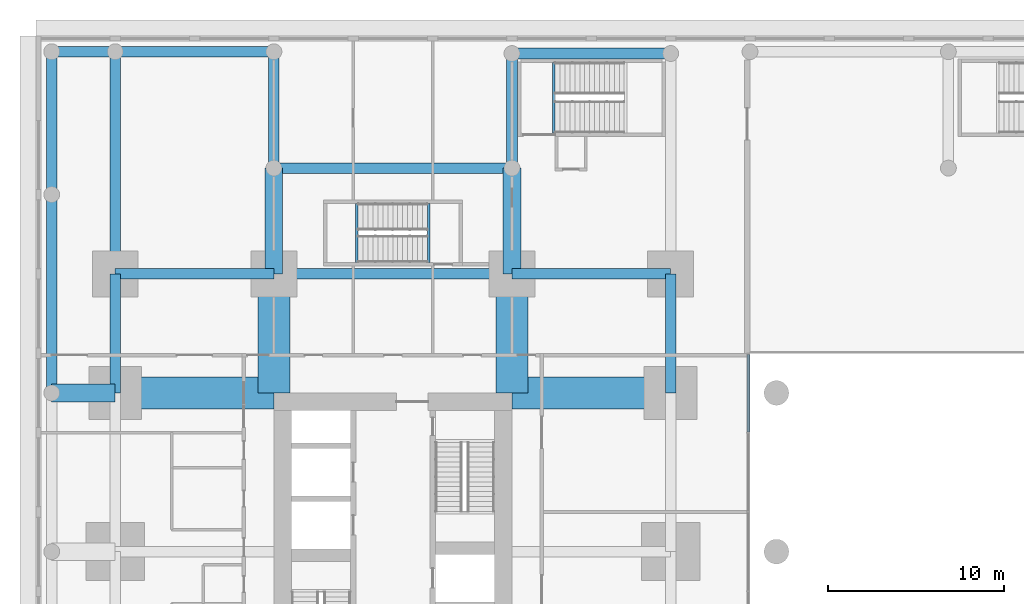
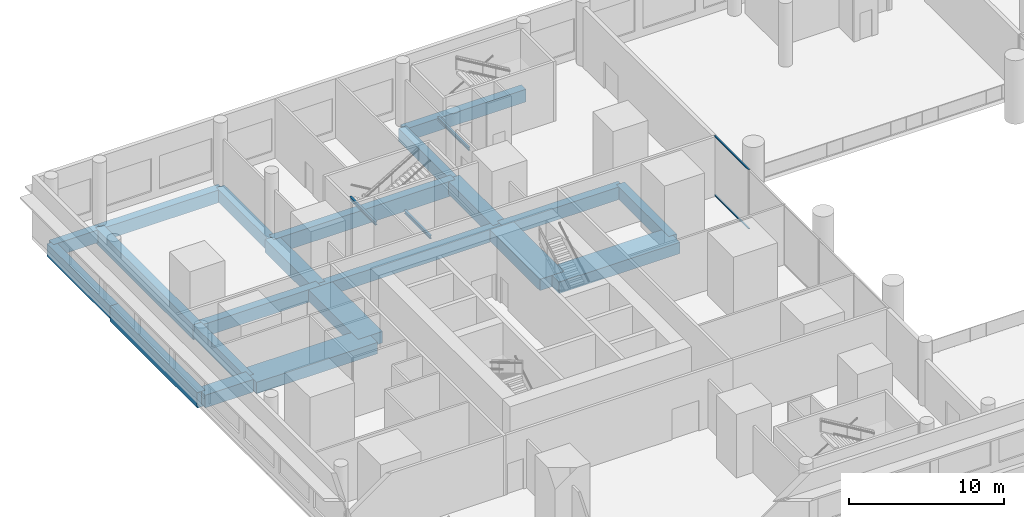
# One storey, part 4 of 21: 24 beams, 2 members, 1 element without a shape of its own.
"""IFC4 building model written with IfcOpenShell, lengths in metres."""

from ifc_helpers import new_model, si_unit, direction, frame, origin, origin_2d, place, context, subcontext, project, spatial, rectangle, i_section, extrude, material, layer, layer_set, material_profile, profile_set, type_object, element, aggregate, save


model = new_model("IFC4")

# Units and contexts
model_context = context("Model", 3, precision=1e-05, world=origin(), true_north=direction((0.0, 1.0)))
body_context = subcontext(model_context, "Body", "Model", "MODEL_VIEW")
ifc_project = project(units=[si_unit("LENGTHUNIT", "METRE"), si_unit("AREAUNIT", "SQUARE_METRE"), si_unit("VOLUMEUNIT", "CUBIC_METRE"), si_unit("PLANEANGLEUNIT", "RADIAN"), si_unit("MASSUNIT", "GRAM", prefix="KILO")], contexts=[model_context])

# Site, building, storey
site_placement = place(None, origin())
site = spatial("IfcSite", under=ifc_project, at=site_placement, CompositionType="ELEMENT")
building_placement = place(site_placement, origin())
building = spatial("IfcBuilding", under=site, at=building_placement, Name="Namib Vertical Campus", CompositionType="ELEMENT")
storey_placement = place(building_placement, frame((0.0, 0.0, 6.0)))
storey = spatial("IfcBuildingStorey", under=building, at=storey_placement, Name="L01", CompositionType="ELEMENT", Elevation=6.0)

# Curtain wall, members
ifc_material_1 = material(Name="Black aluminium curtain wall", Category="aluminium")
ifc_layer = layer(ifc_material_1, 0.199951171875)
ifc_layer_set = layer_set([ifc_layer], Name="Atrium screen curtain wall CW-AT")
curtain_wall_type = type_object("IfcCurtainWallType", Name="Atrium screen curtain wall CW-AT", PredefinedType="USERDEFINED", material=ifc_layer_set)
curtain_wall_placement = place(storey_placement, origin())
curtain_wall = element("IfcCurtainWall", 1, at=curtain_wall_placement, inside=storey, type_object=curtain_wall_type, Name="Curtain wall CW-AT atrium A L01 1", ObjectType="CURTAIN WALL", PredefinedType="USERDEFINED")
ifc_material_2 = material(Name="Black anodised aluminium", Category="aluminium")
ifc_material_profile_1 = material_profile(ifc_material_2, rectangle(XDim=0.06005859375, YDim=0.1201171875, at=origin_2d()))
ifc_profile_set_1 = profile_set([ifc_material_profile_1], Name="Black anodised aluminium")
member_type = type_object("IfcMemberType", Name="Curtain wall transom 60x120", PredefinedType="USERDEFINED", material=ifc_profile_set_1)
member_1_placement = place(storey_placement, frame((40.39990234375, 27.030029296875, 0.030029296875), z_axis=(0.0, 1.0, 0.0), x_axis=(0.0, 0.0, 1.0)))
member_1 = element("IfcMember", 2, at=member_1_placement, type_object=member_type, Name="CW-AT transom 5.1", ObjectType="TRANSOM", PredefinedType="USERDEFINED", context=body_context, shape_type="SweptSolid", body=[
    extrude(rectangle(XDim=0.06005859375, YDim=0.1201171875, at=origin_2d()), origin(), (0.0, 0.0, 1.0), 4.409912109375),
])
member_2_placement = place(storey_placement, frame((40.39990234375, 27.030029296875, 4.669921875), z_axis=(0.0, 1.0, 0.0), x_axis=(0.0, 0.0, 1.0)))
member_2 = element("IfcMember", 3, at=member_2_placement, type_object=member_type, Name="CW-AT transom 5.2", ObjectType="TRANSOM", PredefinedType="USERDEFINED", context=body_context, shape_type="SweptSolid", body=[
    extrude(rectangle(XDim=0.06005859375, YDim=0.1201171875, at=origin_2d()), origin(), (0.0, 0.0, 1.0), 4.409912109375),
])
aggregate(curtain_wall, [member_1, member_2])

# Beams
ifc_material_3 = material(Name="Steel S355JR", Category="steel")
ifc_material_profile_2 = material_profile(ifc_material_3, i_section(OverallWidth=0.14599609375, OverallDepth=0.25146484375, WebThickness=0.006103515625, FlangeThickness=0.008544921875, FilletRadius=0.007568359375, at=origin_2d()))
ifc_profile_set_2 = profile_set([ifc_material_profile_2], Name="Steel S355JR")
beam_type_1 = type_object("IfcBeamType", Name="Landing trimmer UB 254x146x31", PredefinedType="BEAM", material=ifc_profile_set_2)
beam_1_placement = place(storey_placement, frame((29.373046875, 44.0, -0.125732421875), z_axis=(0.0, 1.0, 0.0), x_axis=(-1.0, 0.0, 0.0)))
element("IfcBeam", 4, at=beam_1_placement, inside=storey, type_object=beam_type_1, Name="Landing trimmer LT1 P-S1 L01 1", PredefinedType="BEAM", context=body_context, shape_type="SweptSolid", body=[
    extrude(i_section(OverallWidth=0.14599609375, OverallDepth=0.25146484375, WebThickness=0.006103515625, FlangeThickness=0.008544921875, FilletRadius=0.007568359375, at=origin_2d()), origin(), (0.0, 0.0, 1.0), 4.0),
])
for number, where, z_axis, x_axis, name in (
    (5, (22.27294921875, 36.64990234375, -0.125732421875), (0.0, 1.0, 0.0), (-1.0, 0.0, 0.0), "Landing trimmer LT1 A-S3 L01 1"),
    (6, (18.20703125, 36.64990234375, 2.374267578125), (0.0, 1.0, 0.0), (-1.0, 0.0, 0.0), "Landing trimmer LT1 A-S3 L01 2"),
):
    element("IfcBeam", number, at=place(storey_placement, frame(where, z_axis=z_axis, x_axis=x_axis)), inside=storey, type_object=beam_type_1, Name=name, PredefinedType="BEAM", context=body_context, shape_type="SweptSolid", body=[
        extrude(i_section(OverallWidth=0.14599609375, OverallDepth=0.25146484375, WebThickness=0.006103515625, FlangeThickness=0.008544921875, FilletRadius=0.007568359375, at=origin_2d()), origin(), (0.0, 0.0, 1.0), 3.35009765625),
    ])
ifc_material_4 = material(Name="Concrete C40/50", Category="concrete")
ifc_material_profile_3 = material_profile(ifc_material_4, rectangle(XDim=0.60009765625, YDim=1.199951171875, at=origin_2d()))
ifc_profile_set_3 = profile_set([ifc_material_profile_3], Name="Concrete C40/50")
beam_type_2 = type_object("IfcBeamType", Name="Long-span podium beam RC 600x1200", PredefinedType="BEAM", material=ifc_profile_set_3)
beam_2_placement = place(storey_placement, frame((0.89990234375, 29.25, -0.89990234375), z_axis=(0.0, 1.0, 0.0), x_axis=(-1.0, 0.0, 0.0)))
element("IfcBeam", 7, at=beam_2_placement, inside=storey, type_object=beam_type_2, Name="Beam PB4 L01", PredefinedType="BEAM", context=body_context, shape_type="SweptSolid", body=[
    extrude(rectangle(XDim=0.60009765625, YDim=1.199951171875, at=origin_2d()), origin(), (0.0, 0.0, 1.0), 11.25),
])
beam_3_placement = place(storey_placement, frame((4.5, 36.0, -0.89990234375), z_axis=(0.0, 1.0, 0.0), x_axis=(-1.0, 0.0, 0.0)))
element("IfcBeam", 8, at=beam_3_placement, inside=storey, type_object=beam_type_2, Name="Beam PB4 L01", PredefinedType="BEAM", context=body_context, shape_type="SweptSolid", body=[
    extrude(rectangle(XDim=0.60009765625, YDim=1.199951171875, at=origin_2d()), origin(), (0.0, 0.0, 1.0), 12.60009765625),
])
beam_4_placement = place(storey_placement, frame((13.5, 42.0, -0.89990234375), z_axis=(1.0, 0.0, 0.0), x_axis=(0.0, 1.0, 0.0)))
element("IfcBeam", 9, at=beam_4_placement, inside=storey, type_object=beam_type_2, Name="Beam PB4 L01", PredefinedType="BEAM", context=body_context, shape_type="SweptSolid", body=[
    extrude(rectangle(XDim=0.60009765625, YDim=1.199951171875, at=origin_2d()), origin(), (0.0, 0.0, 1.0), 13.5),
])
ifc_material_5 = material(Name="Concrete C40/50", Category="concrete")
ifc_material_profile_4 = material_profile(ifc_material_5, rectangle(XDim=1.800048828125, YDim=0.89990234375, at=origin_2d()))
ifc_profile_set_4 = profile_set([ifc_material_profile_4], Name="Concrete C40/50")
beam_type_3 = type_object("IfcBeamType", Name="Outrigger line girder RC 1800x900", PredefinedType="BEAM", material=ifc_profile_set_4)
for number, where, z_axis, x_axis, name in (
    (10, (13.5, 36.0, -0.75), (0.0, -1.0, 0.0), (1.0, 0.0, 0.0), "Beam B12 L01"),
    (11, (27.0, 36.0, -0.75), (0.0, -1.0, 0.0), (1.0, 0.0, 0.0), "Beam B12 L01"),
):
    element("IfcBeam", number, at=place(storey_placement, frame(where, z_axis=z_axis, x_axis=x_axis)), inside=storey, type_object=beam_type_3, Name=name, PredefinedType="BEAM", context=body_context, shape_type="SweptSolid", body=[
        extrude(rectangle(XDim=1.800048828125, YDim=0.89990234375, at=origin_2d()), origin(), (0.0, 0.0, 1.0), 6.75),
    ])
for number, where, z_axis, x_axis, name in (
    (12, (4.5, 29.25, -0.75), (1.0, 0.0, 0.0), (0.0, 1.0, 0.0), "Beam B12 L01"),
    (13, (36.0, 29.25, -0.75), (-1.0, 0.0, 0.0), (0.0, -1.0, 0.0), "Beam B12 L01"),
):
    element("IfcBeam", number, at=place(storey_placement, frame(where, z_axis=z_axis, x_axis=x_axis)), inside=storey, type_object=beam_type_3, Name=name, PredefinedType="BEAM", context=body_context, shape_type="SweptSolid", body=[
        extrude(rectangle(XDim=1.800048828125, YDim=0.89990234375, at=origin_2d()), origin(), (0.0, 0.0, 1.0), 9.0),
    ])
ifc_material_6 = material(Name="Concrete C40/50", Category="concrete")
ifc_material_profile_5 = material_profile(ifc_material_6, rectangle(XDim=0.60009765625, YDim=1.0, at=origin_2d()))
ifc_profile_set_5 = profile_set([ifc_material_profile_5], Name="Concrete C40/50")
beam_type_4 = type_object("IfcBeamType", Name="Podium beam RC 600x1000", PredefinedType="BEAM", material=ifc_profile_set_5)
beam_5_placement = place(storey_placement, frame((0.89990234375, 40.5, -0.800048828125), z_axis=(0.0, 1.0, 0.0), x_axis=(-1.0, 0.0, 0.0)))
element("IfcBeam", 14, at=beam_5_placement, inside=storey, type_object=beam_type_4, Name="Beam PB1 L01", PredefinedType="BEAM", context=body_context, shape_type="SweptSolid", body=[
    extrude(rectangle(XDim=0.60009765625, YDim=1.0, at=origin_2d()), origin(), (0.0, 0.0, 1.0), 8.10009765625),
])
beam_6_placement = place(storey_placement, frame((13.5, 42.0, -0.800048828125), z_axis=(0.0, 1.0, 0.0), x_axis=(-1.0, 0.0, 0.0)))
element("IfcBeam", 15, at=beam_6_placement, inside=storey, type_object=beam_type_4, Name="Beam PB1 L01", PredefinedType="BEAM", context=body_context, shape_type="SweptSolid", body=[
    extrude(rectangle(XDim=0.60009765625, YDim=1.0, at=origin_2d()), origin(), (0.0, 0.0, 1.0), 6.60009765625),
])
beam_7_placement = place(storey_placement, frame((27.0, 42.0, -0.800048828125), z_axis=(0.0, 1.0, 0.0), x_axis=(-1.0, 0.0, 0.0)))
element("IfcBeam", 16, at=beam_7_placement, inside=storey, type_object=beam_type_4, Name="Beam PB1 L01", PredefinedType="BEAM", context=body_context, shape_type="SweptSolid", body=[
    extrude(rectangle(XDim=0.60009765625, YDim=1.0, at=origin_2d()), origin(), (0.0, 0.0, 1.0), 6.5),
])
beam_8_placement = place(storey_placement, frame((27.0, 48.5, -0.800048828125), z_axis=(1.0, 0.0, 0.0), x_axis=(0.0, 1.0, 0.0)))
element("IfcBeam", 17, at=beam_8_placement, inside=storey, type_object=beam_type_4, Name="Beam PB1 L01", PredefinedType="BEAM", context=body_context, shape_type="SweptSolid", body=[
    extrude(rectangle(XDim=0.60009765625, YDim=1.0, at=origin_2d()), origin(), (0.0, 0.0, 1.0), 9.0),
])
beam_9_placement = place(storey_placement, frame((0.89990234375, 48.60009765625, -0.800048828125), z_axis=(1.0, 0.0, 0.0), x_axis=(0.0, 1.0, 0.0)))
element("IfcBeam", 18, at=beam_9_placement, inside=storey, type_object=beam_type_4, Name="Beam PB1 L01", PredefinedType="BEAM", context=body_context, shape_type="SweptSolid", body=[
    extrude(rectangle(XDim=0.60009765625, YDim=1.0, at=origin_2d()), origin(), (0.0, 0.0, 1.0), 3.60009765625),
])
beam_10_placement = place(storey_placement, frame((4.5, 48.60009765625, -0.800048828125), z_axis=(1.0, 0.0, 0.0), x_axis=(0.0, 1.0, 0.0)))
element("IfcBeam", 19, at=beam_10_placement, inside=storey, type_object=beam_type_4, Name="Beam PB1 L01", PredefinedType="BEAM", context=body_context, shape_type="SweptSolid", body=[
    extrude(rectangle(XDim=0.60009765625, YDim=1.0, at=origin_2d()), origin(), (0.0, 0.0, 1.0), 9.0),
])
ifc_material_7 = material(Name="Concrete C40/50", Category="concrete")
ifc_material_profile_6 = material_profile(ifc_material_7, rectangle(XDim=0.60009765625, YDim=1.0, at=origin_2d()))
ifc_profile_set_6 = profile_set([ifc_material_profile_6], Name="Concrete C40/50")
beam_type_5 = type_object("IfcBeamType", Name="Podium ring beam RC 600x1000", PredefinedType="BEAM", material=ifc_profile_set_6)
beam_11_placement = place(storey_placement, frame((4.5, 36.0, -0.800048828125), z_axis=(1.0, 0.0, 0.0), x_axis=(0.0, 1.0, 0.0)))
element("IfcBeam", 20, at=beam_11_placement, inside=storey, type_object=beam_type_5, Name="Beam B6 L01", PredefinedType="BEAM", context=body_context, shape_type="SweptSolid", body=[
    extrude(rectangle(XDim=0.60009765625, YDim=1.0, at=origin_2d()), origin(), (0.0, 0.0, 1.0), 9.0),
])
beam_12_placement = place(storey_placement, frame((13.5, 36.0, -0.800048828125), z_axis=(1.0, 0.0, 0.0), x_axis=(0.0, 1.0, 0.0)))
element("IfcBeam", 21, at=beam_12_placement, inside=storey, type_object=beam_type_5, Name="Beam B6 L01", PredefinedType="BEAM", context=body_context, shape_type="SweptSolid", body=[
    extrude(rectangle(XDim=0.60009765625, YDim=1.0, at=origin_2d()), origin(), (0.0, 0.0, 1.0), 13.5),
])
beam_13_placement = place(storey_placement, frame((27.0, 36.0, -0.800048828125), z_axis=(1.0, 0.0, 0.0), x_axis=(0.0, 1.0, 0.0)))
element("IfcBeam", 22, at=beam_13_placement, inside=storey, type_object=beam_type_5, Name="Beam B6 L01", PredefinedType="BEAM", context=body_context, shape_type="SweptSolid", body=[
    extrude(rectangle(XDim=0.60009765625, YDim=1.0, at=origin_2d()), origin(), (0.0, 0.0, 1.0), 9.0),
])
for number, where, z_axis, x_axis, name in (
    (23, (4.5, 29.25, -0.800048828125), (0.0, 1.0, 0.0), (-1.0, 0.0, 0.0), "Beam B6 L01"),
    (24, (36.0, 29.25, -0.800048828125), (0.0, 1.0, 0.0), (-1.0, 0.0, 0.0), "Beam B6 L01"),
):
    element("IfcBeam", number, at=place(storey_placement, frame(where, z_axis=z_axis, x_axis=x_axis)), inside=storey, type_object=beam_type_5, Name=name, PredefinedType="BEAM", context=body_context, shape_type="SweptSolid", body=[
        extrude(rectangle(XDim=0.60009765625, YDim=1.0, at=origin_2d()), origin(), (0.0, 0.0, 1.0), 6.75),
    ])
ifc_material_8 = material(Name="Concrete C40/50", Category="concrete")
ifc_material_profile_7 = material_profile(ifc_material_8, rectangle(XDim=1.0, YDim=1.0, at=origin_2d()))
ifc_profile_set_7 = profile_set([ifc_material_profile_7], Name="Concrete C40/50")
beam_type_6 = type_object("IfcBeamType", Name="Podium tie beam RC 1000x1000", PredefinedType="BEAM", material=ifc_profile_set_7)
for number, where, z_axis, x_axis, name in (
    (25, (13.5, 36.0, -0.800048828125), (0.0, 1.0, 0.0), (-1.0, 0.0, 0.0), "Beam PB3 L01"),
    (26, (27.0, 36.0, -0.800048828125), (0.0, 1.0, 0.0), (-1.0, 0.0, 0.0), "Beam PB3 L01"),
):
    element("IfcBeam", number, at=place(storey_placement, frame(where, z_axis=z_axis, x_axis=x_axis)), inside=storey, type_object=beam_type_6, Name=name, PredefinedType="BEAM", context=body_context, shape_type="SweptSolid", body=[
        extrude(rectangle(XDim=1.0, YDim=1.0, at=origin_2d()), origin(), (0.0, 0.0, 1.0), 6.0),
    ])
beam_14_placement = place(storey_placement, frame((0.89990234375, 29.25, -0.800048828125), z_axis=(1.0, 0.0, 0.0), x_axis=(0.0, 1.0, 0.0)))
element("IfcBeam", 27, at=beam_14_placement, inside=storey, type_object=beam_type_6, Name="Beam PB3 L01", PredefinedType="BEAM", context=body_context, shape_type="SweptSolid", body=[
    extrude(rectangle(XDim=1.0, YDim=1.0, at=origin_2d()), origin(), (0.0, 0.0, 1.0), 3.60009765625),
])

save(model, "model.ifc")
